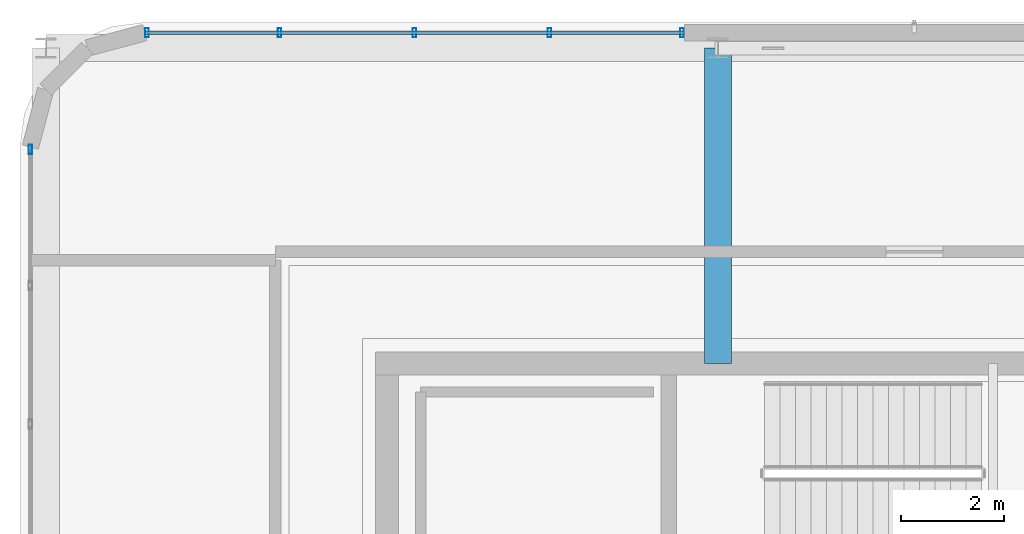
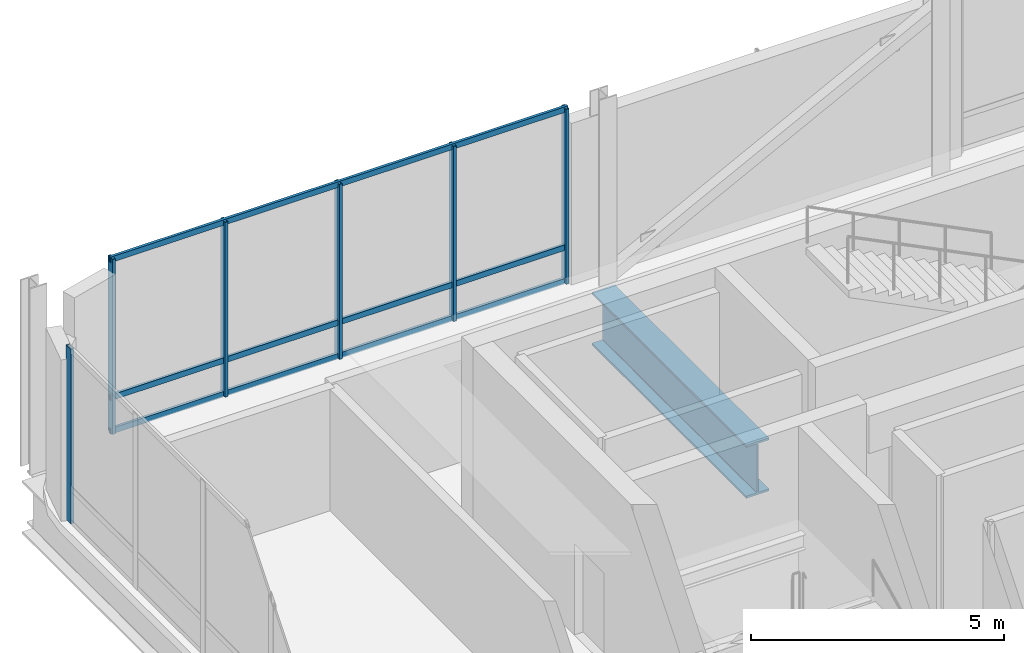
# One storey, part 10 of 25: 9 members, 1 beam, 2 elements without a shape of their own.
"""IFC4 building model written with IfcOpenShell, lengths in metres."""

from ifc_helpers import new_model, si_unit, direction, frame, origin, origin_2d, place, context, subcontext, project, spatial, hollow_rectangle, i_section, extrude, material, material_profile, profile_set, type_object, element, aggregate, save


model = new_model("IFC4")

# Units and contexts
model_context = context("Model", 3, precision=1e-05, world=origin(), true_north=direction((0.0, 1.0)))
body_context = subcontext(model_context, "Body", "Model", "MODEL_VIEW")
ifc_project = project(units=[si_unit("LENGTHUNIT", "METRE"), si_unit("AREAUNIT", "SQUARE_METRE"), si_unit("VOLUMEUNIT", "CUBIC_METRE"), si_unit("PLANEANGLEUNIT", "RADIAN"), si_unit("MASSUNIT", "GRAM", prefix="KILO")], contexts=[model_context])

# Site, building, storey
site_placement = place(None, origin())
site = spatial("IfcSite", under=ifc_project, at=site_placement, CompositionType="ELEMENT")
building_placement = place(site_placement, origin())
building = spatial("IfcBuilding", under=site, at=building_placement, Name="Punatoya Terracotta Tower", CompositionType="ELEMENT")
storey_placement = place(building_placement, frame((0.0, 0.0, 357.300048828125)))
storey = spatial("IfcBuildingStorey", under=building, at=storey_placement, Name="L84", CompositionType="ELEMENT", Elevation=357.300048828125)

# Beam
ifc_material_1 = material(Name="Steel S460", Category="steel")
ifc_material_profile_1 = material_profile(ifc_material_1, i_section(OverallWidth=0.52001953125, OverallDepth=1.280029296875, WebThickness=0.031982421875, FlangeThickness=0.050048828125, FilletRadius=0.01806640625, at=origin_2d()))
ifc_profile_set_1 = profile_set([ifc_material_profile_1], Name="Steel S460")
beam_type = type_object("IfcBeamType", Name="BM-TG-NCK", PredefinedType="BEAM", material=ifc_profile_set_1)
beam_placement = place(storey_placement, frame((-3.800048828125, 9.199951171875, -0.860107421875), z_axis=(0.0, 1.0, 0.0), x_axis=(-1.0, 0.0, 0.0)))
element("IfcBeam", 1, at=beam_placement, inside=storey, type_object=beam_type, Name="BM-L84-CN1", PredefinedType="BEAM", context=body_context, shape_type="SweptSolid", body=[
    extrude(i_section(OverallWidth=0.52001953125, OverallDepth=1.280029296875, WebThickness=0.031982421875, FlangeThickness=0.050048828125, FilletRadius=0.01806640625, at=origin_2d()), origin(), (0.0, 0.0, 1.0), 6.10009765625),
])

# Curtain wall, members
ifc_material_2 = material(Name="Aluminium 6063-T6 + Double Low-E Glass", Category="aluminium")
curtain_wall_type = type_object("IfcCurtainWallType", Name="CW-CRN", PredefinedType="NOTDEFINED", material=ifc_material_2)
curtain_wall_1_placement = place(storey_placement, origin())
curtain_wall_1 = element("IfcCurtainWall", 2, at=curtain_wall_1_placement, inside=storey, type_object=curtain_wall_type, Name="L84 Curtain Wall CW-L84-N09-2", PredefinedType="NOTDEFINED")
ifc_material_3 = material(Name="Aluminium 6063-T6", Category="aluminium")
ifc_material_profile_2 = material_profile(ifc_material_3, hollow_rectangle(XDim=0.070068359375, YDim=0.179931640625, WallThickness=0.00390625, at=origin_2d()))
ifc_profile_set_2 = profile_set([ifc_material_profile_2], Name="Aluminium 6063-T6")
member_type_1 = type_object("IfcMemberType", Name="CW-MUL-M3", PredefinedType="MULLION", material=ifc_profile_set_2)
member_1_placement = place(storey_placement, frame((-4.4951171875, 15.60009765625, 0.0), z_axis=(0.0, 0.0, 1.0), x_axis=(1.0, 0.0, 0.0)))
member_1 = element("IfcMember", 3, at=member_1_placement, type_object=member_type_1, Name="CW-L84-N09-2 Mullion 00", PredefinedType="MULLION", context=body_context, shape_type="SweptSolid", body=[
    extrude(hollow_rectangle(XDim=0.070068359375, YDim=0.179931640625, WallThickness=0.00390625, at=origin_2d()), origin(), (0.0, 0.0, 1.0), 4.219970703125),
])
member_2_placement = place(storey_placement, frame((-7.05908203125, 15.60009765625, 0.0), z_axis=(0.0, 0.0, 1.0), x_axis=(1.0, 0.0, 0.0)))
member_2 = element("IfcMember", 4, at=member_2_placement, type_object=member_type_1, Name="CW-L84-N09-2 Mullion 01", PredefinedType="MULLION", context=body_context, shape_type="SweptSolid", body=[
    extrude(hollow_rectangle(XDim=0.070068359375, YDim=0.179931640625, WallThickness=0.00390625, at=origin_2d()), origin(), (0.0, 0.0, 1.0), 4.219970703125),
])
member_3_placement = place(storey_placement, frame((-9.66845703125, 15.60009765625, 0.0), z_axis=(0.0, 0.0, 1.0), x_axis=(1.0, 0.0, 0.0)))
member_3 = element("IfcMember", 5, at=member_3_placement, type_object=member_type_1, Name="CW-L84-N09-2 Mullion 02", PredefinedType="MULLION", context=body_context, shape_type="SweptSolid", body=[
    extrude(hollow_rectangle(XDim=0.070068359375, YDim=0.179931640625, WallThickness=0.00390625, at=origin_2d()), origin(), (0.0, 0.0, 1.0), 4.219970703125),
])
member_4_placement = place(storey_placement, frame((-12.277587890625, 15.60009765625, 0.0), z_axis=(0.0, 0.0, 1.0), x_axis=(1.0, 0.0, 0.0)))
member_4 = element("IfcMember", 6, at=member_4_placement, type_object=member_type_1, Name="CW-L84-N09-2 Mullion 03", PredefinedType="MULLION", context=body_context, shape_type="SweptSolid", body=[
    extrude(hollow_rectangle(XDim=0.070068359375, YDim=0.179931640625, WallThickness=0.00390625, at=origin_2d()), origin(), (0.0, 0.0, 1.0), 4.219970703125),
])
member_5_placement = place(storey_placement, frame((-14.841796875, 15.60009765625, 0.0), z_axis=(0.0, 0.0, 1.0), x_axis=(1.0, 0.0, 0.0)))
member_5 = element("IfcMember", 7, at=member_5_placement, type_object=member_type_1, Name="CW-L84-N09-2 Mullion 04", PredefinedType="MULLION", context=body_context, shape_type="SweptSolid", body=[
    extrude(hollow_rectangle(XDim=0.070068359375, YDim=0.179931640625, WallThickness=0.00390625, at=origin_2d()), origin(), (0.0, 0.0, 1.0), 4.219970703125),
])

# Curtain wall, member
curtain_wall_2_placement = place(storey_placement, origin())
curtain_wall_2 = element("IfcCurtainWall", 8, at=curtain_wall_2_placement, inside=storey, type_object=curtain_wall_type, Name="L84 Curtain Wall CW-L84-W13-1", PredefinedType="NOTDEFINED")
member_6_placement = place(storey_placement, frame((-17.10009765625, 13.341796875, 0.0), z_axis=(0.0, 0.0, 1.0), x_axis=(1.0, 0.0, 0.0)))
member_6 = element("IfcMember", 9, at=member_6_placement, type_object=member_type_1, Name="CW-L84-W13-1 Mullion 00", PredefinedType="MULLION", context=body_context, shape_type="SweptSolid", body=[
    extrude(hollow_rectangle(XDim=0.070068359375, YDim=0.179931640625, WallThickness=0.00390625, at=origin_2d()), origin(), (0.0, 0.0, 1.0), 4.219970703125),
])
aggregate(curtain_wall_2, [member_6])

# Member
ifc_material_profile_3 = material_profile(ifc_material_3, hollow_rectangle(XDim=0.06201171875, YDim=0.135009765625, WallThickness=0.00390625, at=origin_2d()))
ifc_profile_set_3 = profile_set([ifc_material_profile_3], Name="Aluminium 6063-T6")
member_type_2 = type_object("IfcMemberType", Name="CW-TRN-CRN", PredefinedType="USERDEFINED", material=ifc_profile_set_3)
member_7_placement = place(storey_placement, frame((-4.449951171875, 15.60009765625, 0.0400390625), z_axis=(-1.0, 0.0, 0.0), x_axis=(0.0, -1.0, 0.0)))
member_7 = element("IfcMember", 10, at=member_7_placement, type_object=member_type_2, Name="CW-L84-N09-2 Transom 1", ObjectType="TRANSOM", PredefinedType="USERDEFINED", context=body_context, shape_type="SweptSolid", body=[
    extrude(hollow_rectangle(XDim=0.06201171875, YDim=0.135009765625, WallThickness=0.00390625, at=origin_2d()), origin(), (0.0, 0.0, 1.0), 10.43701171875),
])

member_8_placement = place(storey_placement, frame((-4.449951171875, 15.60009765625, 0.849853515625), z_axis=(-1.0, 0.0, 0.0), x_axis=(0.0, -1.0, 0.0)))
member_8 = element("IfcMember", 11, at=member_8_placement, type_object=member_type_2, Name="CW-L84-N09-2 Transom 2", ObjectType="TRANSOM", PredefinedType="USERDEFINED", context=body_context, shape_type="SweptSolid", body=[
    extrude(hollow_rectangle(XDim=0.06201171875, YDim=0.135009765625, WallThickness=0.00390625, at=origin_2d()), origin(), (0.0, 0.0, 1.0), 10.43701171875),
])

member_9_placement = place(storey_placement, frame((-4.449951171875, 15.60009765625, 4.179931640625), z_axis=(-1.0, 0.0, 0.0), x_axis=(0.0, -1.0, 0.0)))
member_9 = element("IfcMember", 12, at=member_9_placement, type_object=member_type_2, Name="CW-L84-N09-2 Transom 3", ObjectType="TRANSOM", PredefinedType="USERDEFINED", context=body_context, shape_type="SweptSolid", body=[
    extrude(hollow_rectangle(XDim=0.06201171875, YDim=0.135009765625, WallThickness=0.00390625, at=origin_2d()), origin(), (0.0, 0.0, 1.0), 10.43701171875),
])

aggregate(curtain_wall_1, [member_1, member_2, member_3, member_4, member_5, member_7, member_8, member_9])

save(model, "model.ifc")
